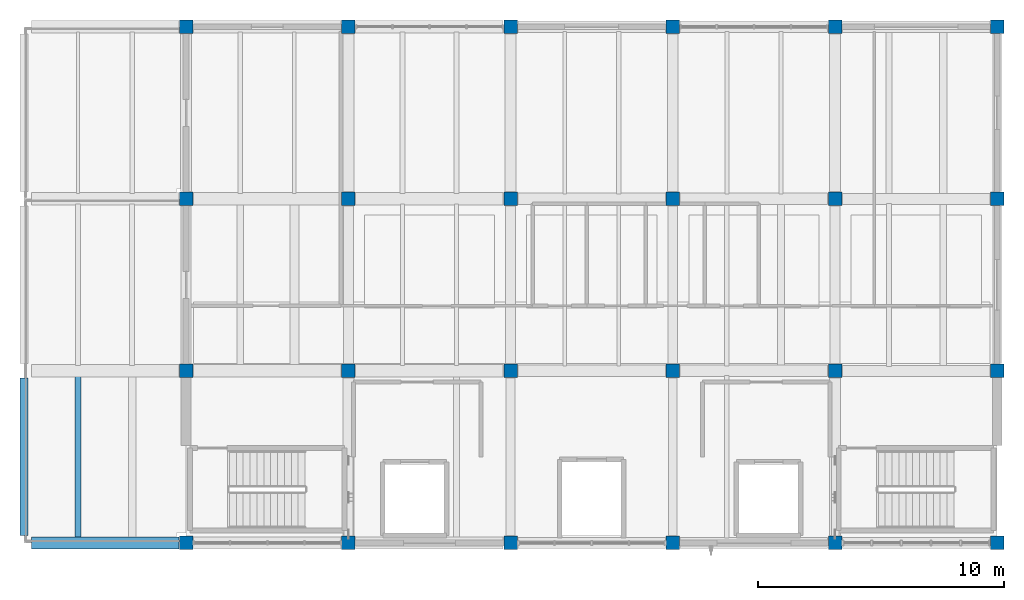
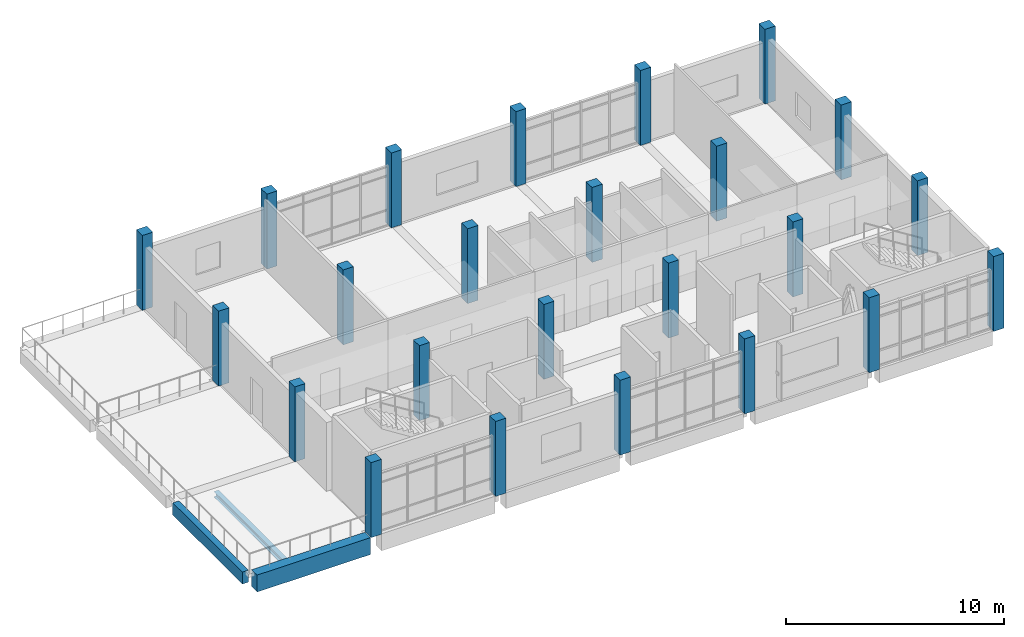
# One storey, part 1 of 12: 24 columns, 3 beams.
"""IFC4 building model written with IfcOpenShell, lengths in metres."""

from ifc_helpers import new_model, si_unit, direction, frame, origin, origin_2d, place, context, subcontext, project, spatial, rectangle, i_section, extrude, material, material_profile, profile_set, type_object, element, save


model = new_model("IFC4")

# Units and contexts
model_context = context("Model", 3, precision=1e-05, world=origin(), true_north=direction((0.0, 1.0)))
body_context = subcontext(model_context, "Body", "Model", "MODEL_VIEW")
ifc_project = project(units=[si_unit("LENGTHUNIT", "METRE"), si_unit("AREAUNIT", "SQUARE_METRE"), si_unit("VOLUMEUNIT", "CUBIC_METRE"), si_unit("PLANEANGLEUNIT", "RADIAN"), si_unit("MASSUNIT", "GRAM", prefix="KILO")], contexts=[model_context])

# Site, building, storey
site_placement = place(None, origin())
site = spatial("IfcSite", under=ifc_project, at=site_placement, CompositionType="ELEMENT")
building_placement = place(site_placement, origin())
building = spatial("IfcBuilding", under=site, at=building_placement, Name="Ciguamira Faculty of Natural Sciences", CompositionType="ELEMENT")
storey_placement = place(building_placement, frame((0.0, 0.0, 37.800048828125)))
storey = spatial("IfcBuildingStorey", under=building, at=storey_placement, Name="L09", CompositionType="ELEMENT", Elevation=37.800048828125)

# Columns
ifc_material_1 = material(Name="Concrete C40/50", Category="concrete")
ifc_material_profile_1 = material_profile(ifc_material_1, rectangle(XDim=0.550048828125, YDim=0.550048828125, at=origin_2d()), Name="RC-COL-550X550")
ifc_profile_set_1 = profile_set([ifc_material_profile_1], Name="Concrete C40/50")
column_type = type_object("IfcColumnType", Name="Col_C-08_RC-COL-550X550", PredefinedType="COLUMN", material=ifc_profile_set_1)
for number, where, z_axis, x_axis, name in (
    (1, (70.5, 94.0, 0.0), (0.0, 0.0, 1.0), (1.0, 0.0, 0.0), "L09 column 11/P"),
    (2, (70.5, 101.0, 0.0), (0.0, 0.0, 1.0), (1.0, 0.0, 0.0), "L09 column 11/Q"),
    (3, (70.5, 108.0, 0.0), (0.0, 0.0, 1.0), (1.0, 0.0, 0.0), "L09 column 11/R"),
    (4, (70.5, 115.0, 0.0), (0.0, 0.0, 1.0), (1.0, 0.0, 0.0), "L09 column 11/S"),
    (5, (77.10009765625, 94.0, 0.0), (0.0, 0.0, 1.0), (1.0, 0.0, 0.0), "L09 column 12/P"),
    (6, (77.10009765625, 101.0, 0.0), (0.0, 0.0, 1.0), (1.0, 0.0, 0.0), "L09 column 12/Q"),
    (7, (77.10009765625, 108.0, 0.0), (0.0, 0.0, 1.0), (1.0, 0.0, 0.0), "L09 column 12/R"),
    (8, (77.10009765625, 115.0, 0.0), (0.0, 0.0, 1.0), (1.0, 0.0, 0.0), "L09 column 12/S"),
    (9, (83.699951171875, 94.0, 0.0), (0.0, 0.0, 1.0), (1.0, 0.0, 0.0), "L09 column 13/P"),
    (10, (83.699951171875, 101.0, 0.0), (0.0, 0.0, 1.0), (1.0, 0.0, 0.0), "L09 column 13/Q"),
    (11, (83.699951171875, 108.0, 0.0), (0.0, 0.0, 1.0), (1.0, 0.0, 0.0), "L09 column 13/R"),
    (12, (83.699951171875, 115.0, 0.0), (0.0, 0.0, 1.0), (1.0, 0.0, 0.0), "L09 column 13/S"),
    (13, (90.300048828125, 94.0, 0.0), (0.0, 0.0, 1.0), (1.0, 0.0, 0.0), "L09 column 14/P"),
    (14, (90.300048828125, 101.0, 0.0), (0.0, 0.0, 1.0), (1.0, 0.0, 0.0), "L09 column 14/Q"),
    (15, (90.300048828125, 108.0, 0.0), (0.0, 0.0, 1.0), (1.0, 0.0, 0.0), "L09 column 14/R"),
    (16, (90.300048828125, 115.0, 0.0), (0.0, 0.0, 1.0), (1.0, 0.0, 0.0), "L09 column 14/S"),
    (17, (96.89990234375, 94.0, 0.0), (0.0, 0.0, 1.0), (1.0, 0.0, 0.0), "L09 column 15/P"),
    (18, (96.89990234375, 101.0, 0.0), (0.0, 0.0, 1.0), (1.0, 0.0, 0.0), "L09 column 15/Q"),
    (19, (96.89990234375, 108.0, 0.0), (0.0, 0.0, 1.0), (1.0, 0.0, 0.0), "L09 column 15/R"),
    (20, (96.89990234375, 115.0, 0.0), (0.0, 0.0, 1.0), (1.0, 0.0, 0.0), "L09 column 15/S"),
    (21, (103.5, 94.0, 0.0), (0.0, 0.0, 1.0), (1.0, 0.0, 0.0), "L09 column 16/P"),
    (22, (103.5, 101.0, 0.0), (0.0, 0.0, 1.0), (1.0, 0.0, 0.0), "L09 column 16/Q"),
    (23, (103.5, 108.0, 0.0), (0.0, 0.0, 1.0), (1.0, 0.0, 0.0), "L09 column 16/R"),
    (24, (103.5, 115.0, 0.0), (0.0, 0.0, 1.0), (1.0, 0.0, 0.0), "L09 column 16/S"),
):
    element("IfcColumn", number, at=place(storey_placement, frame(where, z_axis=z_axis, x_axis=x_axis)), inside=storey, type_object=column_type, Name=name, PredefinedType="COLUMN", context=body_context, shape_type="SweptSolid", body=[
        extrude(rectangle(XDim=0.550048828125, YDim=0.550048828125, at=origin_2d()), origin(), (0.0, 0.0, 1.0), 4.199951171875),
    ])

# Beams
ifc_material_profile_2 = material_profile(ifc_material_1, rectangle(XDim=0.5, YDim=0.949951171875, at=origin_2d()), Name="RC-BM-500X950")
ifc_profile_set_2 = profile_set([ifc_material_profile_2], Name="Concrete C40/50")
beam_type_1 = type_object("IfcBeamType", Name="RCBeam_BG-02_RC-BM-500X950", PredefinedType="BEAM", material=ifc_profile_set_2)
beam_1_placement = place(storey_placement, frame((64.199951171875, 94.0, -0.47509765625), z_axis=(1.0, 0.0, 0.0), x_axis=(0.0, 1.0, 0.0)))
element("IfcBeam", 25, at=beam_1_placement, inside=storey, type_object=beam_type_1, Name="L09 RC girder EW-1633", PredefinedType="BEAM", context=body_context, shape_type="SweptSolid", body=[
    extrude(rectangle(XDim=0.5, YDim=0.949951171875, at=origin_2d()), origin(), (0.0, 0.0, 1.0), 6.0),
])
ifc_material_2 = material(Name="Precast concrete C40/50", Category="concrete")
ifc_material_profile_3 = material_profile(ifc_material_2, rectangle(XDim=0.320068359375, YDim=0.679931640625, at=origin_2d()), Name="RC-SP-320X680")
ifc_profile_set_3 = profile_set([ifc_material_profile_3], Name="Precast concrete C40/50")
beam_type_2 = type_object("IfcBeamType", Name="RCBeam_SP-02_RC-SP-320X680", PredefinedType="SPANDREL", material=ifc_profile_set_3)
beam_2_placement = place(storey_placement, frame((63.89990234375, 94.300048828125, -0.340087890625), z_axis=(0.0, 1.0, 0.0), x_axis=(-1.0, 0.0, 0.0)))
element("IfcBeam", 26, at=beam_2_placement, inside=storey, type_object=beam_type_2, Name="L09 girder NS-1657", PredefinedType="SPANDREL", context=body_context, shape_type="SweptSolid", body=[
    extrude(rectangle(XDim=0.320068359375, YDim=0.679931640625, at=origin_2d()), origin(), (0.0, 0.0, 1.0), 6.39990234375),
])
ifc_material_3 = material(Name="Steel ASTM A992 Grade 50", Category="steel")
ifc_material_profile_4 = material_profile(ifc_material_3, i_section(OverallWidth=0.25390625, OverallDepth=0.307373046875, WebThickness=0.0087890625, FlangeThickness=0.0146484375, at=origin_2d()), Name="W12X53")
ifc_profile_set_4 = profile_set([ifc_material_profile_4], Name="Steel ASTM A992 Grade 50")
beam_type_3 = type_object("IfcBeamType", Name="SteelJoist_SJ-07_W12X53", PredefinedType="JOIST", material=ifc_profile_set_4)
beam_3_placement = place(storey_placement, frame((66.10009765625, 94.2099609375, -0.353759765625), z_axis=(0.0, 1.0, 0.0), x_axis=(-1.0, 0.0, 0.0)))
element("IfcBeam", 27, at=beam_3_placement, inside=storey, type_object=beam_type_3, Name="L09 composite steel joist 01478", PredefinedType="JOIST", context=body_context, shape_type="SweptSolid", body=[
    extrude(i_section(OverallWidth=0.25390625, OverallDepth=0.307373046875, WebThickness=0.0087890625, FlangeThickness=0.0146484375, at=origin_2d()), origin(), (0.0, 0.0, 1.0), 6.580078125),
])

save(model, "model.ifc")
